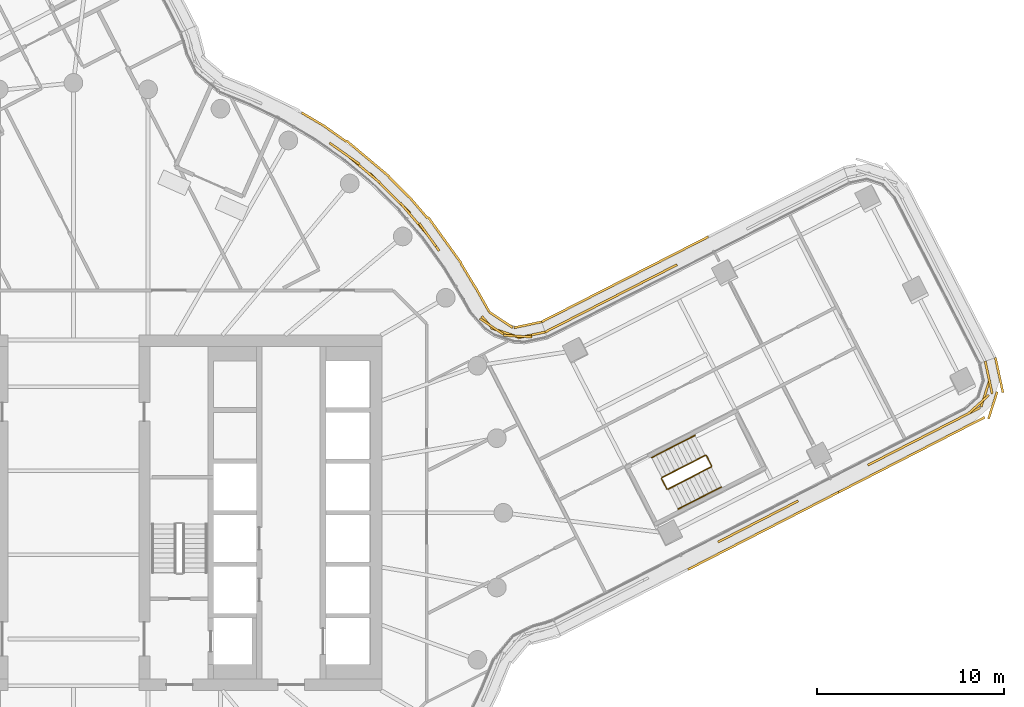
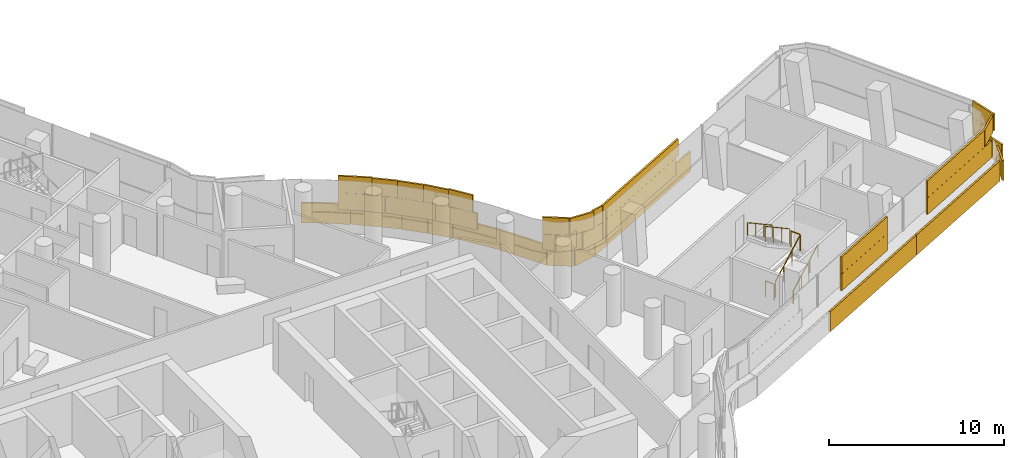
# One storey, part 33 of 37: 6 railings, 4 coverings.
"""IFC4 building model written with IfcOpenShell, lengths in metres."""

from ifc_helpers import new_model, si_unit, direction, frame, origin, origin_2d, place, context, subcontext, project, spatial, rectangle, circle, extrude, material, layer, layer_set, type_object, element, save


model = new_model("IFC4")

# Units and contexts
model_context = context("Model", 3, precision=1e-05, world=origin(), true_north=direction((0.0, 1.0)))
body_context = subcontext(model_context, "Body", "Model", "MODEL_VIEW")
ifc_project = project(units=[si_unit("LENGTHUNIT", "METRE"), si_unit("AREAUNIT", "SQUARE_METRE"), si_unit("VOLUMEUNIT", "CUBIC_METRE"), si_unit("PLANEANGLEUNIT", "RADIAN"), si_unit("MASSUNIT", "GRAM", prefix="KILO")], contexts=[model_context])

# Site, building, storey
site_placement = place(None, origin())
site = spatial("IfcSite", under=ifc_project, at=site_placement, CompositionType="ELEMENT")
building_placement = place(site_placement, origin())
building = spatial("IfcBuilding", under=site, at=building_placement, Name="Tamarind Cross Interchange Tower", CompositionType="ELEMENT")
storey_placement = place(building_placement, frame((0.0, 0.0, 133.0)))
storey = spatial("IfcBuildingStorey", under=building, at=storey_placement, Name="L32", CompositionType="ELEMENT", Elevation=133.0)

# Railings
ifc_material_1 = material(Name="Stair guard")
railing_type_1 = type_object("IfcRailingType", Name="Stair guard", PredefinedType="GUARDRAIL", material=ifc_material_1)
railing_1_placement = place(storey_placement, frame((31.8037109375, 1.265380859375, 0.17041015625)))
element("IfcRailing", 1, at=railing_1_placement, inside=storey, type_object=railing_type_1, Name="L32 ST3 stair guard 1", PredefinedType="GUARDRAIL", context=body_context, shape_type="SweptSolid", body=[
    extrude(circle(Radius=0.02392578125, at=origin_2d()), frame((0.0, 0.0, 1.076171875), z_axis=(0.744052093423, 0.381802773427, 0.548281975333), x_axis=(-0.456541582309, 0.889702075766, 0.0)), (0.0, 0.0, 1.0), 3.10888671875),
    extrude(circle(Radius=0.02099609375, at=origin_2d()), origin(), (0.0, 0.0, 1.0), 1.052001953125),
    extrude(circle(Radius=0.02099609375, at=origin_2d()), frame((0.77099609375, 0.395751953125, 0.568115234375)), (0.0, 0.0, 1.0), 1.052001953125),
    extrude(circle(Radius=0.02099609375, at=origin_2d()), frame((1.542236328125, 0.791259765625, 1.136474609375)), (0.0, 0.0, 1.0), 1.052001953125),
    extrude(circle(Radius=0.02099609375, at=origin_2d()), frame((2.313232421875, 1.18701171875, 1.70458984375)), (0.0, 0.0, 1.0), 1.052001953125),
])
railing_2_placement = place(storey_placement, frame((34.138427734375, 2.519775390625, 1.875)))
element("IfcRailing", 2, at=railing_2_placement, inside=storey, type_object=railing_type_1, Name="L32 ST3 stair guard 2", PredefinedType="GUARDRAIL", context=body_context, shape_type="SweptSolid", body=[
    extrude(circle(Radius=0.02392578125, at=origin_2d()), frame((0.0, 0.0, 1.076171875), z_axis=(-0.456465311682, 0.889741209134, 0.0), x_axis=(-0.889741209134, -0.456465311682, 0.0)), (0.0, 0.0, 1.0), 0.60009765625),
    extrude(circle(Radius=0.02099609375, at=origin_2d()), origin(), (0.0, 0.0, 1.0), 1.052001953125),
    extrude(circle(Radius=0.02099609375, at=origin_2d()), frame((-0.27392578125, 0.533935546875, 0.0)), (0.0, 0.0, 1.0), 1.052001953125),
])
railing_3_placement = place(storey_placement, frame((33.79736328125, 3.0751953125, 2.04541015625)))
element("IfcRailing", 3, at=railing_3_placement, inside=storey, type_object=railing_type_1, Name="L32 ST3 stair guard 3", PredefinedType="GUARDRAIL", context=body_context, shape_type="SweptSolid", body=[
    extrude(circle(Radius=0.02392578125, at=origin_2d()), frame((0.0, 0.0, 1.076171875), z_axis=(-0.744052093423, -0.381802773427, 0.548281975333), x_axis=(0.456541582309, -0.889702075766, 0.0)), (0.0, 0.0, 1.0), 3.10888671875),
    extrude(circle(Radius=0.02099609375, at=origin_2d()), origin(), (0.0, 0.0, 1.0), 1.052001953125),
    extrude(circle(Radius=0.02099609375, at=origin_2d()), frame((-0.77099609375, -0.395751953125, 0.568115234375)), (0.0, 0.0, 1.0), 1.052001953125),
    extrude(circle(Radius=0.02099609375, at=origin_2d()), frame((-1.542236328125, -0.791259765625, 1.136474609375)), (0.0, 0.0, 1.0), 1.052001953125),
    extrude(circle(Radius=0.02099609375, at=origin_2d()), frame((-2.313232421875, -1.18701171875, 1.70458984375)), (0.0, 0.0, 1.0), 1.052001953125),
])
railing_4_placement = place(storey_placement, frame((31.736328125, 1.287109375, 0.0)))
element("IfcRailing", 4, at=railing_4_placement, inside=storey, type_object=railing_type_1, Name="L32 ST3 stair guard 4", PredefinedType="GUARDRAIL", context=body_context, shape_type="SweptSolid", body=[
    extrude(circle(Radius=0.02392578125, at=origin_2d()), frame((0.0, 0.0, 1.076171875), z_axis=(-0.456630592684, 0.889656395371, 0.0), x_axis=(-0.889656395371, -0.456630592684, 0.0)), (0.0, 0.0, 1.0), 0.599853515625),
    extrude(circle(Radius=0.02099609375, at=origin_2d()), origin(), (0.0, 0.0, 1.0), 1.052001953125),
    extrude(circle(Radius=0.02099609375, at=origin_2d()), frame((-0.27392578125, 0.53369140625, 0.0)), (0.0, 0.0, 1.0), 1.052001953125),
])
ifc_material_2 = material(Name="Stair handrail")
railing_type_2 = type_object("IfcRailingType", Name="Stair handrail", PredefinedType="HANDRAIL", material=ifc_material_2)
railing_5_placement = place(storey_placement, frame((32.3515625, 0.19775390625, 0.17041015625)))
element("IfcRailing", 5, at=railing_5_placement, inside=storey, type_object=railing_type_2, Name="L32 ST3 stair handrail 1", PredefinedType="HANDRAIL", context=body_context, shape_type="SweptSolid", body=[
    extrude(circle(Radius=0.02392578125, at=origin_2d()), frame((0.0, 0.0, 0.8759765625), z_axis=(0.744052093423, 0.381802773427, 0.548281975333), x_axis=(-0.456541582309, 0.889702075766, 0.0)), (0.0, 0.0, 1.0), 3.10888671875),
    extrude(circle(Radius=0.02099609375, at=origin_2d()), origin(), (0.0, 0.0, 1.0), 0.851806640625),
    extrude(circle(Radius=0.02099609375, at=origin_2d()), frame((0.77099609375, 0.395751953125, 0.568115234375)), (0.0, 0.0, 1.0), 0.851806640625),
    extrude(circle(Radius=0.02099609375, at=origin_2d()), frame((1.542236328125, 0.791259765625, 1.136474609375)), (0.0, 0.0, 1.0), 0.851806640625),
    extrude(circle(Radius=0.02099609375, at=origin_2d()), frame((2.313232421875, 1.18701171875, 1.70458984375)), (0.0, 0.0, 1.0), 0.851806640625),
])
railing_6_placement = place(storey_placement, frame((33.24951171875, 4.142822265625, 2.04541015625)))
element("IfcRailing", 6, at=railing_6_placement, inside=storey, type_object=railing_type_2, Name="L32 ST3 stair handrail 2", PredefinedType="HANDRAIL", context=body_context, shape_type="SweptSolid", body=[
    extrude(circle(Radius=0.02392578125, at=origin_2d()), frame((0.0, 0.0, 0.8759765625), z_axis=(-0.744052093423, -0.381802773427, 0.548281975333), x_axis=(0.456541582309, -0.889702075766, 0.0)), (0.0, 0.0, 1.0), 3.10888671875),
    extrude(circle(Radius=0.02099609375, at=origin_2d()), origin(), (0.0, 0.0, 1.0), 0.851806640625),
    extrude(circle(Radius=0.02099609375, at=origin_2d()), frame((-0.77099609375, -0.395751953125, 0.568115234375)), (0.0, 0.0, 1.0), 0.851806640625),
    extrude(circle(Radius=0.02099609375, at=origin_2d()), frame((-1.542236328125, -0.791259765625, 1.136474609375)), (0.0, 0.0, 1.0), 0.851806640625),
    extrude(circle(Radius=0.02099609375, at=origin_2d()), frame((-2.313232421875, -1.18701171875, 1.70458984375)), (0.0, 0.0, 1.0), 0.851806640625),
])

# Coverings
ifc_material_3 = material(Name="Terracotta", Category="masonry")
ifc_layer = layer(ifc_material_3, 0.1201171875)
ifc_layer_set = layer_set([ifc_layer], Name="Terracotta")
covering_type = type_object("IfcCoveringType", Name="Terracotta baguette screen unit", PredefinedType="MOLDING", material=ifc_layer_set)
covering_1_placement = place(storey_placement, origin())
element("IfcCovering", 7, at=covering_1_placement, inside=storey, type_object=covering_type, Name="SCR-L32-07-01", PredefinedType="MOLDING", context=body_context, shape_type="SweptSolid", body=[
    extrude(rectangle(XDim=0.762939453125, YDim=0.1201171875, at=origin_2d()), frame((34.82421875, -1.38818359375, 1.404052734375), z_axis=(0.0, 0.0, 1.0), x_axis=(0.889697026233, 0.456551422638, 0.0)), (0.0, 0.0, 1.0), 1.1669921875),
    extrude(rectangle(XDim=1.52001953125, YDim=0.1201171875, at=origin_2d()), frame((35.826416015625, -0.8740234375, 1.404052734375), z_axis=(0.0, 0.0, 1.0), x_axis=(0.889697026233, 0.456551422638, 0.0)), (0.0, 0.0, 1.0), 1.1669921875),
    extrude(rectangle(XDim=1.52001953125, YDim=0.1201171875, at=origin_2d()), frame((37.160888671875, -0.18896484375, 1.404052734375), z_axis=(0.0, 0.0, 1.0), x_axis=(0.889697026233, 0.456551422638, 0.0)), (0.0, 0.0, 1.0), 1.1669921875),
    extrude(rectangle(XDim=1.063720703125, YDim=0.1201171875, at=origin_2d()), frame((38.296875, 0.393798828125, 1.404052734375), z_axis=(0.0, 0.0, 1.0), x_axis=(0.889697026233, 0.456551422638, 0.0)), (0.0, 0.0, 1.0), 1.1669921875),
    extrude(rectangle(XDim=1.52001953125, YDim=0.1201171875, at=origin_2d()), frame((35.1591796875, -1.21630859375, 2.5791015625), z_axis=(0.0, 0.0, 1.0), x_axis=(0.889697026233, 0.456551422638, 0.0)), (0.0, 0.0, 1.0), 1.1669921875),
    extrude(rectangle(XDim=1.52001953125, YDim=0.1201171875, at=origin_2d()), frame((36.49365234375, -0.531494140625, 2.5791015625), z_axis=(0.0, 0.0, 1.0), x_axis=(0.889697026233, 0.456551422638, 0.0)), (0.0, 0.0, 1.0), 1.1669921875),
    extrude(rectangle(XDim=1.52001953125, YDim=0.1201171875, at=origin_2d()), frame((37.828369140625, 0.1533203125, 2.5791015625), z_axis=(0.0, 0.0, 1.0), x_axis=(0.889697026233, 0.456551422638, 0.0)), (0.0, 0.0, 1.0), 1.1669921875),
    extrude(rectangle(XDim=0.313720703125, YDim=0.1201171875, at=origin_2d()), frame((38.630615234375, 0.56494140625, 2.5791015625), z_axis=(0.0, 0.0, 1.0), x_axis=(0.889697026233, 0.456551422638, 0.0)), (0.0, 0.0, 1.0), 1.1669921875),
    extrude(rectangle(XDim=1.327880859375, YDim=0.1201171875, at=origin_2d()), frame((33.471435546875, -2.7275390625, 0.00390625), z_axis=(0.0, 0.0, 1.0), x_axis=(0.889697026233, 0.456551422638, 0.0)), (0.0, 0.0, 1.0), 1.39208984375),
    extrude(rectangle(XDim=1.52001953125, YDim=0.1201171875, at=origin_2d()), frame((34.720458984375, -2.086669921875, 0.00390625), z_axis=(0.0, 0.0, 1.0), x_axis=(0.889697026233, 0.456551422638, 0.0)), (0.0, 0.0, 1.0), 1.39208984375),
    extrude(rectangle(XDim=1.52001953125, YDim=0.1201171875, at=origin_2d()), frame((36.054931640625, -1.40185546875, 0.00390625), z_axis=(0.0, 0.0, 1.0), x_axis=(0.889697026233, 0.456551422638, 0.0)), (0.0, 0.0, 1.0), 1.39208984375),
    extrude(rectangle(XDim=1.52001953125, YDim=0.1201171875, at=origin_2d()), frame((37.3896484375, -0.717041015625, 0.00390625), z_axis=(0.0, 0.0, 1.0), x_axis=(0.889697026233, 0.456551422638, 0.0)), (0.0, 0.0, 1.0), 1.39208984375),
    extrude(rectangle(XDim=1.52001953125, YDim=0.1201171875, at=origin_2d()), frame((38.72412109375, -0.0322265625, 0.00390625), z_axis=(0.0, 0.0, 1.0), x_axis=(0.889697026233, 0.456551422638, 0.0)), (0.0, 0.0, 1.0), 1.39208984375),
    extrude(rectangle(XDim=1.52001953125, YDim=0.1201171875, at=origin_2d()), frame((40.05859375, 0.652587890625, 0.00390625), z_axis=(0.0, 0.0, 1.0), x_axis=(0.889697026233, 0.456551422638, 0.0)), (0.0, 0.0, 1.0), 1.39208984375),
    extrude(rectangle(XDim=0.23974609375, YDim=0.1201171875, at=origin_2d()), frame((40.82373046875, 1.045166015625, 0.00390625), z_axis=(0.0, 0.0, 1.0), x_axis=(0.889697026233, 0.456551422638, 0.0)), (0.0, 0.0, 1.0), 1.39208984375),
])
covering_2_placement = place(storey_placement, origin())
element("IfcCovering", 8, at=covering_2_placement, inside=storey, type_object=covering_type, Name="SCR-L32-07-02", PredefinedType="MOLDING", context=body_context, shape_type="SweptSolid", body=[
    extrude(rectangle(XDim=0.75634765625, YDim=0.1201171875, at=origin_2d()), frame((42.83447265625, 2.72216796875, 1.404052734375), z_axis=(0.0, 0.0, 1.0), x_axis=(0.889697026233, 0.456551422638, 0.0)), (0.0, 0.0, 1.0), 1.1669921875),
    extrude(rectangle(XDim=1.52001953125, YDim=0.1201171875, at=origin_2d()), frame((43.833740234375, 3.235107421875, 1.404052734375), z_axis=(0.0, 0.0, 1.0), x_axis=(0.889697026233, 0.456551422638, 0.0)), (0.0, 0.0, 1.0), 1.1669921875),
    extrude(rectangle(XDim=1.52001953125, YDim=0.1201171875, at=origin_2d()), frame((45.168212890625, 3.919921875, 1.404052734375), z_axis=(0.0, 0.0, 1.0), x_axis=(0.889697026233, 0.456551422638, 0.0)), (0.0, 0.0, 1.0), 1.1669921875),
    extrude(rectangle(XDim=1.52001953125, YDim=0.1201171875, at=origin_2d()), frame((46.5029296875, 4.604736328125, 1.404052734375), z_axis=(0.0, 0.0, 1.0), x_axis=(0.889697026233, 0.456551422638, 0.0)), (0.0, 0.0, 1.0), 1.1669921875),
    extrude(rectangle(XDim=1.52001953125, YDim=0.1201171875, at=origin_2d()), frame((47.83740234375, 5.28955078125, 1.404052734375), z_axis=(0.0, 0.0, 1.0), x_axis=(0.889697026233, 0.456551422638, 0.0)), (0.0, 0.0, 1.0), 1.1669921875),
    extrude(rectangle(XDim=1.52001953125, YDim=0.1201171875, at=origin_2d()), frame((48.786865234375, 6.396240234375, 1.404052734375), z_axis=(0.0, 0.0, 1.0), x_axis=(0.306280193543, 0.951941407358, 0.0)), (0.0, 0.0, 1.0), 1.1669921875),
    extrude(rectangle(XDim=1.02734375, YDim=0.1201171875, at=origin_2d()), frame((48.881591796875, 7.60888671875, 1.404052734375), z_axis=(0.0, 0.0, 1.0), x_axis=(-0.210724275394, 0.977545538458, 0.0)), (0.0, 0.0, 1.0), 1.1669921875),
    extrude(rectangle(XDim=1.50634765625, YDim=0.1201171875, at=origin_2d()), frame((43.16796875, 2.8935546875, 2.5791015625), z_axis=(0.0, 0.0, 1.0), x_axis=(0.889697026233, 0.456551422638, 0.0)), (0.0, 0.0, 1.0), 1.1669921875),
    extrude(rectangle(XDim=1.52001953125, YDim=0.1201171875, at=origin_2d()), frame((44.5009765625, 3.577392578125, 2.5791015625), z_axis=(0.0, 0.0, 1.0), x_axis=(0.889697026233, 0.456551422638, 0.0)), (0.0, 0.0, 1.0), 1.1669921875),
    extrude(rectangle(XDim=1.52001953125, YDim=0.1201171875, at=origin_2d()), frame((45.83544921875, 4.26220703125, 2.5791015625), z_axis=(0.0, 0.0, 1.0), x_axis=(0.889697026233, 0.456551422638, 0.0)), (0.0, 0.0, 1.0), 1.1669921875),
    extrude(rectangle(XDim=1.52001953125, YDim=0.1201171875, at=origin_2d()), frame((47.170166015625, 4.947021484375, 2.5791015625), z_axis=(0.0, 0.0, 1.0), x_axis=(0.889697026233, 0.456551422638, 0.0)), (0.0, 0.0, 1.0), 1.1669921875),
    extrude(rectangle(XDim=1.52001953125, YDim=0.1201171875, at=origin_2d()), frame((48.3994140625, 5.7841796875, 2.5791015625), z_axis=(0.0, 0.0, 1.0), x_axis=(0.741217131964, 0.671265344915, 0.0)), (0.0, 0.0, 1.0), 1.1669921875),
    extrude(rectangle(XDim=1.52001953125, YDim=0.1201171875, at=origin_2d()), frame((48.98876953125, 7.111572265625, 2.5791015625), z_axis=(0.0, 0.0, 1.0), x_axis=(-0.210724275394, 0.977545538458, 0.0)), (0.0, 0.0, 1.0), 1.1669921875),
    extrude(rectangle(XDim=0.27734375, YDim=0.1201171875, at=origin_2d()), frame((48.802490234375, 7.975341796875, 2.5791015625), z_axis=(0.0, 0.0, 1.0), x_axis=(-0.210724275394, 0.977545538458, 0.0)), (0.0, 0.0, 1.0), 1.1669921875),
    extrude(rectangle(XDim=1.2802734375, YDim=0.1201171875, at=origin_2d()), frame((41.499755859375, 1.392333984375, 0.00390625), z_axis=(0.0, 0.0, 1.0), x_axis=(0.889697026233, 0.456551422638, 0.0)), (0.0, 0.0, 1.0), 1.39208984375),
    extrude(rectangle(XDim=1.52001953125, YDim=0.1201171875, at=origin_2d()), frame((42.727783203125, 2.0224609375, 0.00390625), z_axis=(0.0, 0.0, 1.0), x_axis=(0.889697026233, 0.456551422638, 0.0)), (0.0, 0.0, 1.0), 1.39208984375),
    extrude(rectangle(XDim=1.52001953125, YDim=0.1201171875, at=origin_2d()), frame((44.062255859375, 2.707275390625, 0.00390625), z_axis=(0.0, 0.0, 1.0), x_axis=(0.889697026233, 0.456551422638, 0.0)), (0.0, 0.0, 1.0), 1.39208984375),
    extrude(rectangle(XDim=1.52001953125, YDim=0.1201171875, at=origin_2d()), frame((45.39697265625, 3.39208984375, 0.00390625), z_axis=(0.0, 0.0, 1.0), x_axis=(0.889697026233, 0.456551422638, 0.0)), (0.0, 0.0, 1.0), 1.39208984375),
    extrude(rectangle(XDim=1.52001953125, YDim=0.1201171875, at=origin_2d()), frame((46.7314453125, 4.076904296875, 0.00390625), z_axis=(0.0, 0.0, 1.0), x_axis=(0.889697026233, 0.456551422638, 0.0)), (0.0, 0.0, 1.0), 1.39208984375),
    extrude(rectangle(XDim=1.52001953125, YDim=0.1201171875, at=origin_2d()), frame((48.06591796875, 4.76171875, 0.00390625), z_axis=(0.0, 0.0, 1.0), x_axis=(0.889697026233, 0.456551422638, 0.0)), (0.0, 0.0, 1.0), 1.39208984375),
    extrude(rectangle(XDim=1.52001953125, YDim=0.1201171875, at=origin_2d()), frame((49.18115234375, 5.748046875, 0.00390625), z_axis=(0.0, 0.0, 1.0), x_axis=(0.306280193543, 0.951941407358, 0.0)), (0.0, 0.0, 1.0), 1.39208984375),
    extrude(rectangle(XDim=1.52001953125, YDim=0.1201171875, at=origin_2d()), frame((49.561279296875, 7.1796875, 0.00390625), z_axis=(0.0, 0.0, 1.0), x_axis=(-0.210724275394, 0.977545538458, 0.0)), (0.0, 0.0, 1.0), 1.39208984375),
    extrude(rectangle(XDim=0.406982421875, YDim=0.1201171875, at=origin_2d()), frame((49.362548828125, 8.10205078125, 0.00390625), z_axis=(0.0, 0.0, 1.0), x_axis=(-0.210724275394, 0.977545538458, 0.0)), (0.0, 0.0, 1.0), 1.39208984375),
])
covering_3_placement = place(storey_placement, origin())
element("IfcCovering", 9, at=covering_3_placement, inside=storey, type_object=covering_type, Name="SCR-L32-09-01", PredefinedType="MOLDING", context=body_context, shape_type="SweptSolid", body=[
    extrude(rectangle(XDim=1.52001953125, YDim=0.1201171875, at=origin_2d()), frame((31.381591796875, 12.807373046875, 1.404052734375), z_axis=(0.0, 0.0, 1.0), x_axis=(-0.890569845562, -0.454846512766, 0.0)), (0.0, 0.0, 1.0), 1.1669921875),
    extrude(rectangle(XDim=1.52001953125, YDim=0.1201171875, at=origin_2d()), frame((30.045654296875, 12.125, 1.404052734375), z_axis=(0.0, 0.0, 1.0), x_axis=(-0.890569845562, -0.454846512766, 0.0)), (0.0, 0.0, 1.0), 1.1669921875),
    extrude(rectangle(XDim=1.52001953125, YDim=0.1201171875, at=origin_2d()), frame((28.709716796875, 11.44287109375, 1.404052734375), z_axis=(0.0, 0.0, 1.0), x_axis=(-0.890569845562, -0.454846512766, 0.0)), (0.0, 0.0, 1.0), 1.1669921875),
    extrude(rectangle(XDim=1.52001953125, YDim=0.1201171875, at=origin_2d()), frame((27.3740234375, 10.760498046875, 1.404052734375), z_axis=(0.0, 0.0, 1.0), x_axis=(-0.890569845562, -0.454846512766, 0.0)), (0.0, 0.0, 1.0), 1.1669921875),
    extrude(rectangle(XDim=1.52001953125, YDim=0.1201171875, at=origin_2d()), frame((26.0380859375, 10.078369140625, 1.404052734375), z_axis=(0.0, 0.0, 1.0), x_axis=(-0.890569845562, -0.454846512766, 0.0)), (0.0, 0.0, 1.0), 1.1669921875),
    extrude(rectangle(XDim=0.159423828125, YDim=0.1201171875, at=origin_2d()), frame((25.303466796875, 9.703125, 1.404052734375), z_axis=(0.0, 0.0, 1.0), x_axis=(-0.890569845562, -0.454846512766, 0.0)), (0.0, 0.0, 1.0), 1.1669921875),
    extrude(rectangle(XDim=1.028076171875, YDim=0.1201171875, at=origin_2d()), frame((31.834716796875, 13.038818359375, 2.5791015625), z_axis=(0.0, 0.0, 1.0), x_axis=(-0.890569845562, -0.454846512766, 0.0)), (0.0, 0.0, 1.0), 1.1669921875),
    extrude(rectangle(XDim=1.52001953125, YDim=0.1201171875, at=origin_2d()), frame((30.713623046875, 12.46630859375, 2.5791015625), z_axis=(0.0, 0.0, 1.0), x_axis=(-0.890569845562, -0.454846512766, 0.0)), (0.0, 0.0, 1.0), 1.1669921875),
    extrude(rectangle(XDim=1.52001953125, YDim=0.1201171875, at=origin_2d()), frame((29.377685546875, 11.783935546875, 2.5791015625), z_axis=(0.0, 0.0, 1.0), x_axis=(-0.890569845562, -0.454846512766, 0.0)), (0.0, 0.0, 1.0), 1.1669921875),
    extrude(rectangle(XDim=1.52001953125, YDim=0.1201171875, at=origin_2d()), frame((28.041748046875, 11.1015625, 2.5791015625), z_axis=(0.0, 0.0, 1.0), x_axis=(-0.890569845562, -0.454846512766, 0.0)), (0.0, 0.0, 1.0), 1.1669921875),
    extrude(rectangle(XDim=1.52001953125, YDim=0.1201171875, at=origin_2d()), frame((26.7060546875, 10.41943359375, 2.5791015625), z_axis=(0.0, 0.0, 1.0), x_axis=(-0.890569845562, -0.454846512766, 0.0)), (0.0, 0.0, 1.0), 1.1669921875),
    extrude(rectangle(XDim=0.909423828125, YDim=0.1201171875, at=origin_2d()), frame((25.637451171875, 9.873779296875, 2.5791015625), z_axis=(0.0, 0.0, 1.0), x_axis=(-0.890569845562, -0.454846512766, 0.0)), (0.0, 0.0, 1.0), 1.1669921875),
    extrude(rectangle(XDim=0.87841796875, YDim=0.1201171875, at=origin_2d()), frame((33.5732421875, 14.5712890625, 0.00390625), z_axis=(0.0, 0.0, 1.0), x_axis=(-0.890569845562, -0.454846512766, 0.0)), (0.0, 0.0, 1.0), 1.39208984375),
    extrude(rectangle(XDim=1.52001953125, YDim=0.1201171875, at=origin_2d()), frame((32.523193359375, 14.034912109375, 0.00390625), z_axis=(0.0, 0.0, 1.0), x_axis=(-0.890569845562, -0.454846512766, 0.0)), (0.0, 0.0, 1.0), 1.39208984375),
    extrude(rectangle(XDim=1.52001953125, YDim=0.1201171875, at=origin_2d()), frame((31.187255859375, 13.3525390625, 0.00390625), z_axis=(0.0, 0.0, 1.0), x_axis=(-0.890569845562, -0.454846512766, 0.0)), (0.0, 0.0, 1.0), 1.39208984375),
    extrude(rectangle(XDim=1.52001953125, YDim=0.1201171875, at=origin_2d()), frame((29.851318359375, 12.67041015625, 0.00390625), z_axis=(0.0, 0.0, 1.0), x_axis=(-0.890569845562, -0.454846512766, 0.0)), (0.0, 0.0, 1.0), 1.39208984375),
    extrude(rectangle(XDim=1.52001953125, YDim=0.1201171875, at=origin_2d()), frame((28.515625, 11.988037109375, 0.00390625), z_axis=(0.0, 0.0, 1.0), x_axis=(-0.890569845562, -0.454846512766, 0.0)), (0.0, 0.0, 1.0), 1.39208984375),
    extrude(rectangle(XDim=1.52001953125, YDim=0.1201171875, at=origin_2d()), frame((27.1796875, 11.305908203125, 0.00390625), z_axis=(0.0, 0.0, 1.0), x_axis=(-0.890569845562, -0.454846512766, 0.0)), (0.0, 0.0, 1.0), 1.39208984375),
    extrude(rectangle(XDim=1.52001953125, YDim=0.1201171875, at=origin_2d()), frame((25.84375, 10.62353515625, 0.00390625), z_axis=(0.0, 0.0, 1.0), x_axis=(-0.890569845562, -0.454846512766, 0.0)), (0.0, 0.0, 1.0), 1.39208984375),
    extrude(rectangle(XDim=0.15869140625, YDim=0.1201171875, at=origin_2d()), frame((25.1142578125, 10.2509765625, 0.00390625), z_axis=(0.0, 0.0, 1.0), x_axis=(-0.890569845562, -0.454846512766, 0.0)), (0.0, 0.0, 1.0), 1.39208984375),
])
covering_4_placement = place(storey_placement, origin())
element("IfcCovering", 10, at=covering_4_placement, inside=storey, type_object=covering_type, Name="SCR-L32-10-00", PredefinedType="MOLDING", context=body_context, shape_type="SweptSolid", body=[
    extrude(rectangle(XDim=1.510009765625, YDim=0.1201171875, at=origin_2d()), frame((24.50341796875, 9.513427734375, 1.404052734375), z_axis=(0.0, 0.0, 1.0), x_axis=(-0.97822214981, -0.207560655283, 0.0)), (0.0, 0.0, 1.0), 1.1669921875),
    extrude(rectangle(XDim=1.52001953125, YDim=0.1201171875, at=origin_2d()), frame((23.0439453125, 9.65087890625, 1.404052734375), z_axis=(0.0, 0.0, 1.0), x_axis=(-0.948924016949, 0.315504691022, 0.0)), (0.0, 0.0, 1.0), 1.1669921875),
    extrude(rectangle(XDim=0.767822265625, YDim=0.1201171875, at=origin_2d()), frame((22.097412109375, 10.226318359375, 1.404052734375), z_axis=(0.0, 0.0, 1.0), x_axis=(-0.659188243571, 0.751977964795, 0.0)), (0.0, 0.0, 1.0), 1.1669921875),
    extrude(rectangle(XDim=1.052001953125, YDim=0.1201171875, at=origin_2d()), frame((19.254150390625, 14.4443359375, 1.404052734375), z_axis=(0.0, 0.0, 1.0), x_axis=(-0.584573890505, 0.811340475102, 0.0)), (0.0, 0.0, 1.0), 1.1669921875),
    extrude(rectangle(XDim=1.52001953125, YDim=0.1201171875, at=origin_2d()), frame((18.463134765625, 15.437744140625, 1.404052734375), z_axis=(0.0, 0.0, 1.0), x_axis=(-0.64957723968, 0.760295606781, 0.0)), (0.0, 0.0, 1.0), 1.1669921875),
    extrude(rectangle(XDim=1.52001953125, YDim=0.1201171875, at=origin_2d()), frame((17.4736328125, 16.564208984375, 1.404052734375), z_axis=(0.0, 0.0, 1.0), x_axis=(-0.710143317658, 0.704057148523, 0.0)), (0.0, 0.0, 1.0), 1.1669921875),
    extrude(rectangle(XDim=1.52001953125, YDim=0.1201171875, at=origin_2d()), frame((16.408447265625, 17.620361328125, 1.404052734375), z_axis=(0.0, 0.0, 1.0), x_axis=(-0.710143317658, 0.704057148523, 0.0)), (0.0, 0.0, 1.0), 1.1669921875),
    extrude(rectangle(XDim=1.52001953125, YDim=0.1201171875, at=origin_2d()), frame((15.273193359375, 18.599609375, 1.404052734375), z_axis=(0.0, 0.0, 1.0), x_axis=(-0.765858396687, 0.643009266048, 0.0)), (0.0, 0.0, 1.0), 1.1669921875),
    extrude(rectangle(XDim=1.228759765625, YDim=0.1201171875, at=origin_2d()), frame((14.200439453125, 19.4326171875, 1.404052734375), z_axis=(0.0, 0.0, 1.0), x_axis=(-0.816341886298, 0.577568978284, 0.0)), (0.0, 0.0, 1.0), 1.1669921875),
    extrude(rectangle(XDim=0.760009765625, YDim=0.1201171875, at=origin_2d()), frame((24.8701171875, 9.59130859375, 2.5791015625), z_axis=(0.0, 0.0, 1.0), x_axis=(-0.97822214981, -0.207560655283, 0.0)), (0.0, 0.0, 1.0), 1.1669921875),
    extrude(rectangle(XDim=1.52001953125, YDim=0.1201171875, at=origin_2d()), frame((23.762451171875, 9.450439453125, 2.5791015625), z_axis=(0.0, 0.0, 1.0), x_axis=(-0.99843498844, 0.055924715996, 0.0)), (0.0, 0.0, 1.0), 1.1669921875),
    extrude(rectangle(XDim=1.52001953125, YDim=0.1201171875, at=origin_2d()), frame((22.372314453125, 9.969970703125, 2.5791015625), z_axis=(0.0, 0.0, 1.0), x_axis=(-0.833146739955, 0.553051995479, 0.0)), (0.0, 0.0, 1.0), 1.1669921875),
    extrude(rectangle(XDim=1.52001953125, YDim=0.1201171875, at=origin_2d()), frame((18.949462890625, 14.866943359375, 2.5791015625), z_axis=(0.0, 0.0, 1.0), x_axis=(-0.584573890505, 0.811340475102, 0.0)), (0.0, 0.0, 1.0), 1.1669921875),
    extrude(rectangle(XDim=1.52001953125, YDim=0.1201171875, at=origin_2d()), frame((17.975830078125, 16.008056640625, 2.5791015625), z_axis=(0.0, 0.0, 1.0), x_axis=(-0.64957723968, 0.760295606781, 0.0)), (0.0, 0.0, 1.0), 1.1669921875),
    extrude(rectangle(XDim=1.52001953125, YDim=0.1201171875, at=origin_2d()), frame((16.941162109375, 17.09228515625, 2.5791015625), z_axis=(0.0, 0.0, 1.0), x_axis=(-0.710143317658, 0.704057148523, 0.0)), (0.0, 0.0, 1.0), 1.1669921875),
    extrude(rectangle(XDim=1.52001953125, YDim=0.1201171875, at=origin_2d()), frame((15.847412109375, 18.117431640625, 2.5791015625), z_axis=(0.0, 0.0, 1.0), x_axis=(-0.765858396687, 0.643009266048, 0.0)), (0.0, 0.0, 1.0), 1.1669921875),
    extrude(rectangle(XDim=1.52001953125, YDim=0.1201171875, at=origin_2d()), frame((14.69775390625, 19.080810546875, 2.5791015625), z_axis=(0.0, 0.0, 1.0), x_axis=(-0.816341886298, 0.577568978284, 0.0)), (0.0, 0.0, 1.0), 1.1669921875),
    extrude(rectangle(XDim=0.478759765625, YDim=0.1201171875, at=origin_2d()), frame((13.894287109375, 19.649169921875, 2.5791015625), z_axis=(0.0, 0.0, 1.0), x_axis=(-0.816341886298, 0.577568978284, 0.0)), (0.0, 0.0, 1.0), 1.1669921875),
    extrude(rectangle(XDim=1.510009765625, YDim=0.1201171875, at=origin_2d()), frame((24.304931640625, 10.05810546875, 0.00390625), z_axis=(0.0, 0.0, 1.0), x_axis=(-0.97822214981, -0.207560655283, 0.0)), (0.0, 0.0, 1.0), 1.39208984375),
    extrude(rectangle(XDim=1.52001953125, YDim=0.1201171875, at=origin_2d()), frame((22.868896484375, 10.329345703125, 0.00390625), z_axis=(0.0, 0.0, 1.0), x_axis=(-0.833146739955, 0.553051995479, 0.0)), (0.0, 0.0, 1.0), 1.39208984375),
    extrude(rectangle(XDim=1.52001953125, YDim=0.1201171875, at=origin_2d()), frame((21.865234375, 11.42529296875, 0.00390625), z_axis=(0.0, 0.0, 1.0), x_axis=(-0.490699941818, 0.871328621761, 0.0)), (0.0, 0.0, 1.0), 1.39208984375),
    extrude(rectangle(XDim=1.52001953125, YDim=0.1201171875, at=origin_2d()), frame((21.103759765625, 12.717529296875, 0.00390625), z_axis=(0.0, 0.0, 1.0), x_axis=(-0.515577308909, 0.856843065292, 0.0)), (0.0, 0.0, 1.0), 1.39208984375),
    extrude(rectangle(XDim=1.52001953125, YDim=0.1201171875, at=origin_2d()), frame((20.296142578125, 13.97998046875, 0.00390625), z_axis=(0.0, 0.0, 1.0), x_axis=(-0.584573890505, 0.811340475102, 0.0)), (0.0, 0.0, 1.0), 1.39208984375),
    extrude(rectangle(XDim=1.52001953125, YDim=0.1201171875, at=origin_2d()), frame((19.419189453125, 15.197021484375, 0.00390625), z_axis=(0.0, 0.0, 1.0), x_axis=(-0.584573890505, 0.811340475102, 0.0)), (0.0, 0.0, 1.0), 1.39208984375),
    extrude(rectangle(XDim=1.52001953125, YDim=0.1201171875, at=origin_2d()), frame((18.447509765625, 16.339599609375, 0.00390625), z_axis=(0.0, 0.0, 1.0), x_axis=(-0.64957723968, 0.760295606781, 0.0)), (0.0, 0.0, 1.0), 1.39208984375),
    extrude(rectangle(XDim=1.52001953125, YDim=0.1201171875, at=origin_2d()), frame((17.41748046875, 17.42822265625, 0.00390625), z_axis=(0.0, 0.0, 1.0), x_axis=(-0.710143317658, 0.704057148523, 0.0)), (0.0, 0.0, 1.0), 1.39208984375),
    extrude(rectangle(XDim=1.52001953125, YDim=0.1201171875, at=origin_2d()), frame((16.330810546875, 18.4609375, 0.00390625), z_axis=(0.0, 0.0, 1.0), x_axis=(-0.765858396687, 0.643009266048, 0.0)), (0.0, 0.0, 1.0), 1.39208984375),
    extrude(rectangle(XDim=1.52001953125, YDim=0.1201171875, at=origin_2d()), frame((15.18212890625, 19.425537109375, 0.00390625), z_axis=(0.0, 0.0, 1.0), x_axis=(-0.765858396687, 0.643009266048, 0.0)), (0.0, 0.0, 1.0), 1.39208984375),
    extrude(rectangle(XDim=1.52001953125, YDim=0.1201171875, at=origin_2d()), frame((13.965576171875, 20.302001953125, 0.00390625), z_axis=(0.0, 0.0, 1.0), x_axis=(-0.816341886298, 0.577568978284, 0.0)), (0.0, 0.0, 1.0), 1.39208984375),
    extrude(rectangle(XDim=1.331298828125, YDim=0.1201171875, at=origin_2d()), frame((12.7861328125, 21.064453125, 0.00390625), z_axis=(0.0, 0.0, 1.0), x_axis=(-0.861248933065, 0.508183308752, 0.0)), (0.0, 0.0, 1.0), 1.39208984375),
])

save(model, "model.ifc")
